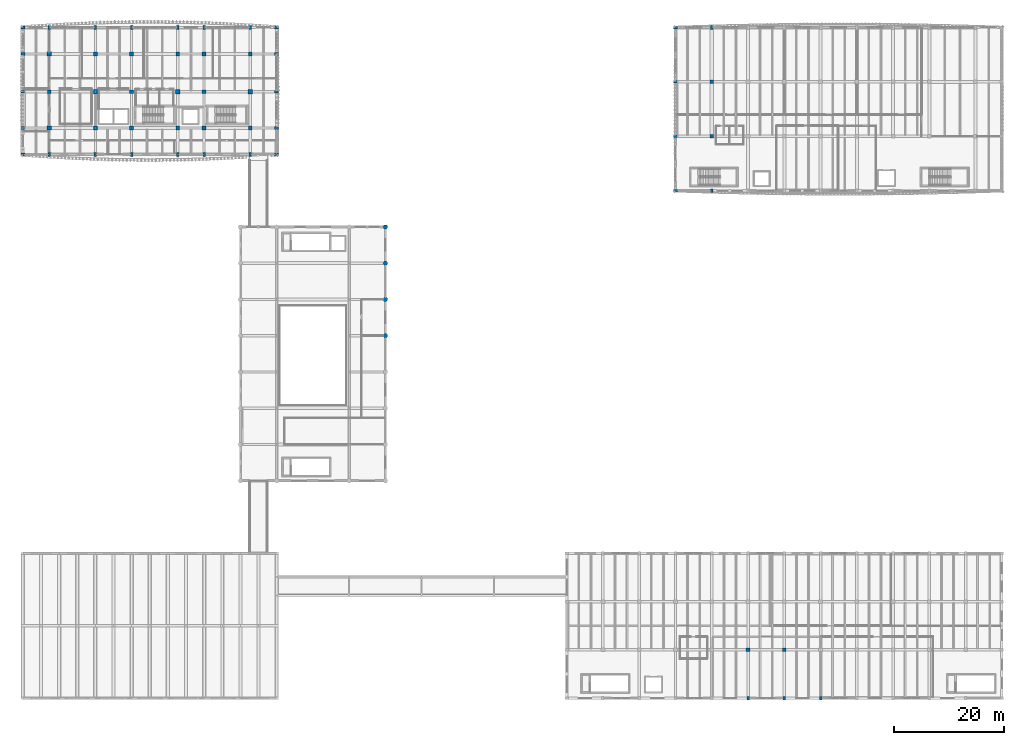
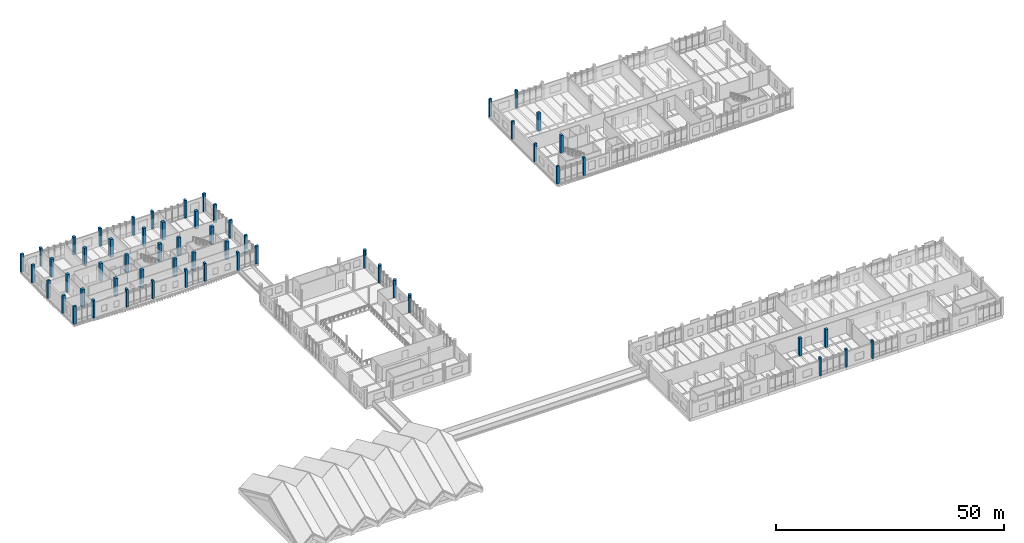
# One storey, part 4 of 76: 57 columns.
"""IFC4 building model written with IfcOpenShell, lengths in metres."""

from ifc_helpers import new_model, si_unit, direction, frame, origin, origin_2d, place, context, subcontext, project, spatial, rectangle, circle, extrude, material, material_profile, profile_set, type_object, element, save


model = new_model("IFC4")

# Units and contexts
model_context = context("Model", 3, precision=1e-05, world=origin(), true_north=direction((0.0, 1.0)))
body_context = subcontext(model_context, "Body", "Model", "MODEL_VIEW")
ifc_project = project(units=[si_unit("LENGTHUNIT", "METRE"), si_unit("AREAUNIT", "SQUARE_METRE"), si_unit("VOLUMEUNIT", "CUBIC_METRE"), si_unit("PLANEANGLEUNIT", "RADIAN"), si_unit("MASSUNIT", "GRAM", prefix="KILO")], contexts=[model_context])

# Site, building, storey
site_placement = place(None, origin())
site = spatial("IfcSite", under=ifc_project, at=site_placement, CompositionType="ELEMENT")
building_placement = place(site_placement, origin())
building = spatial("IfcBuilding", under=site, at=building_placement, Name="Dornvale Research Institute", CompositionType="ELEMENT")
storey_placement = place(building_placement, frame((0.0, 0.0, 15.0)))
storey = spatial("IfcBuildingStorey", under=building, at=storey_placement, Name="L03", CompositionType="ELEMENT", Elevation=15.0)

# Columns
ifc_material_1 = material(Name="Concrete f'c 45 MPa (C35/45)", Category="concrete")
ifc_material_profile_1 = material_profile(ifc_material_1, rectangle(XDim=0.64990234375, YDim=0.64990234375, at=origin_2d()), Name="RC 650x650")
ifc_profile_set_1 = profile_set([ifc_material_profile_1], Name="Concrete f'c 45 MPa (C35/45)")
column_type_1 = type_object("IfcColumnType", Name="Column_RC650", PredefinedType="COLUMN", material=ifc_profile_set_1)
for number, where, z_axis, x_axis, name in (
    (1, (125.39990234375, 102.300048828125, 0.0), (0.0, 0.0, 1.0), (1.0, 0.0, 0.0), "L03 column #579"),
    (2, (125.39990234375, 112.199951171875, 0.0), (0.0, 0.0, 1.0), (1.0, 0.0, 0.0), "L03 column #580"),
    (3, (132.0, 8.800048828125, 0.0), (0.0, 0.0, 1.0), (1.0, 0.0, 0.0), "L03 column #955"),
    (4, (138.60009765625, 8.800048828125, 0.0), (0.0, 0.0, 1.0), (1.0, 0.0, 0.0), "L03 column #959"),
):
    element("IfcColumn", number, at=place(storey_placement, frame(where, z_axis=z_axis, x_axis=x_axis)), inside=storey, type_object=column_type_1, Name=name, PredefinedType="COLUMN", context=body_context, shape_type="SweptSolid", body=[
        extrude(rectangle(XDim=0.64990234375, YDim=0.64990234375, at=origin_2d()), origin(), (0.0, 0.0, 1.0), 4.800048828125),
    ])
ifc_material_2 = material(Name="Concrete f'c 45 MPa (C35/45)", Category="concrete")
ifc_material_profile_2 = material_profile(ifc_material_2, rectangle(XDim=0.699951171875, YDim=0.699951171875, at=origin_2d()), Name="RC 700x700")
ifc_profile_set_2 = profile_set([ifc_material_profile_2], Name="Concrete f'c 45 MPa (C35/45)")
column_type_2 = type_object("IfcColumnType", Name="Column_RC700", PredefinedType="COLUMN", material=ifc_profile_set_2)
for number, where, z_axis, x_axis, name in (
    (5, (4.800048828125, 110.39990234375, 0.0), (0.0, 0.0, 1.0), (1.0, 0.0, 0.0), "L03 column #168"),
    (6, (13.199951171875, 103.800048828125, 0.0), (0.0, 0.0, 1.0), (1.0, 0.0, 0.0), "L03 column #172"),
    (7, (13.199951171875, 117.300048828125, 0.0), (0.0, 0.0, 1.0), (1.0, 0.0, 0.0), "L03 column #174"),
    (8, (19.800048828125, 110.39990234375, 0.0), (0.0, 0.0, 1.0), (1.0, 0.0, 0.0), "L03 column #178"),
    (9, (28.199951171875, 103.800048828125, 0.0), (0.0, 0.0, 1.0), (1.0, 0.0, 0.0), "L03 column #182"),
    (10, (28.199951171875, 117.300048828125, 0.0), (0.0, 0.0, 1.0), (1.0, 0.0, 0.0), "L03 column #184"),
    (11, (33.0, 110.39990234375, 0.0), (0.0, 0.0, 1.0), (1.0, 0.0, 0.0), "L03 column #188"),
    (12, (41.39990234375, 103.800048828125, 0.0), (0.0, 0.0, 1.0), (1.0, 0.0, 0.0), "L03 column #192"),
    (13, (41.39990234375, 117.300048828125, 0.0), (0.0, 0.0, 1.0), (1.0, 0.0, 0.0), "L03 column #194"),
):
    element("IfcColumn", number, at=place(storey_placement, frame(where, z_axis=z_axis, x_axis=x_axis)), inside=storey, type_object=column_type_2, Name=name, PredefinedType="COLUMN", context=body_context, shape_type="SweptSolid", body=[
        extrude(rectangle(XDim=0.699951171875, YDim=0.699951171875, at=origin_2d()), origin(), (0.0, 0.0, 1.0), 4.800048828125),
    ])
ifc_material_3 = material(Name="Concrete f'c 50 MPa (C40/50)", Category="concrete")
ifc_material_profile_3 = material_profile(ifc_material_3, rectangle(XDim=0.75, YDim=0.75, at=origin_2d()), Name="RC 750x750")
ifc_profile_set_3 = profile_set([ifc_material_profile_3], Name="Concrete f'c 50 MPa (C40/50)")
column_type_3 = type_object("IfcColumnType", Name="Column_RC750", PredefinedType="COLUMN", material=ifc_profile_set_3)
for number, where, z_axis, x_axis, name in (
    (14, (4.800048828125, 103.800048828125, 0.0), (0.0, 0.0, 1.0), (1.0, 0.0, 0.0), "L03 column #167"),
    (15, (4.800048828125, 117.300048828125, 0.0), (0.0, 0.0, 1.0), (1.0, 0.0, 0.0), "L03 column #169"),
    (16, (13.199951171875, 110.39990234375, 0.0), (0.0, 0.0, 1.0), (1.0, 0.0, 0.0), "L03 column #173"),
    (17, (19.800048828125, 103.800048828125, 0.0), (0.0, 0.0, 1.0), (1.0, 0.0, 0.0), "L03 column #177"),
    (18, (19.800048828125, 117.300048828125, 0.0), (0.0, 0.0, 1.0), (1.0, 0.0, 0.0), "L03 column #179"),
    (19, (28.199951171875, 110.39990234375, 0.0), (0.0, 0.0, 1.0), (1.0, 0.0, 0.0), "L03 column #183"),
    (20, (33.0, 103.800048828125, 0.0), (0.0, 0.0, 1.0), (1.0, 0.0, 0.0), "L03 column #187"),
    (21, (33.0, 117.300048828125, 0.0), (0.0, 0.0, 1.0), (1.0, 0.0, 0.0), "L03 column #189"),
    (22, (41.39990234375, 110.39990234375, 0.0), (0.0, 0.0, 1.0), (1.0, 0.0, 0.0), "L03 column #193"),
):
    element("IfcColumn", number, at=place(storey_placement, frame(where, z_axis=z_axis, x_axis=x_axis)), inside=storey, type_object=column_type_3, Name=name, PredefinedType="COLUMN", context=body_context, shape_type="SweptSolid", body=[
        extrude(rectangle(XDim=0.75, YDim=0.75, at=origin_2d()), origin(), (0.0, 0.0, 1.0), 4.800048828125),
    ])
ifc_material_4 = material(Name="Concrete f'c 45 MPa (C35/45)", Category="concrete")
ifc_material_profile_4 = material_profile(ifc_material_4, circle(Radius=0.39990234375, at=origin_2d()), Name="RC DIA 800")
ifc_profile_set_4 = profile_set([ifc_material_profile_4], Name="Concrete f'c 45 MPa (C35/45)")
column_type_4 = type_object("IfcColumnType", Name="Column_RCDia800_Ext", PredefinedType="COLUMN", material=ifc_profile_set_4)
for number, where, z_axis, x_axis, name in (
    (23, (66.0, 66.0, 0.0), (0.0, 0.0, 1.0), (1.0, 0.0, 0.0), "L03 column #1142"),
    (24, (66.0, 72.60009765625, 0.0), (0.0, 0.0, 1.0), (1.0, 0.0, 0.0), "L03 column #1143"),
    (25, (66.0, 79.199951171875, 0.0), (0.0, 0.0, 1.0), (1.0, 0.0, 0.0), "L03 column #1144"),
    (26, (66.0, 85.800048828125, 0.0), (0.0, 0.0, 1.0), (1.0, 0.0, 0.0), "L03 column #1145"),
):
    element("IfcColumn", number, at=place(storey_placement, frame(where, z_axis=z_axis, x_axis=x_axis)), inside=storey, type_object=column_type_4, Name=name, PredefinedType="COLUMN", context=body_context, shape_type="SweptSolid", body=[
        extrude(circle(Radius=0.39990234375, at=origin_2d()), origin(), (0.0, 0.0, 1.0), 4.800048828125),
    ])
ifc_material_5 = material(Name="Concrete f'c 45 MPa (C35/45)", Category="concrete")
ifc_material_profile_5 = material_profile(ifc_material_5, rectangle(XDim=0.449951171875, YDim=0.64990234375, at=origin_2d()), Name="RC 450x650")
ifc_profile_set_5 = profile_set([ifc_material_profile_5], Name="Concrete f'c 45 MPa (C35/45)")
column_type_5 = type_object("IfcColumnType", Name="Pilaster_RC450x650_Ext", PredefinedType="PILASTER", material=ifc_profile_set_5)
for number, where, z_axis, x_axis, name in (
    (27, (118.800048828125, 92.39990234375, 0.0), (0.0, 0.0, 1.0), (0.0, 1.0, 0.0), "L03 column #574"),
    (28, (118.800048828125, 102.300048828125, 0.0), (0.0, 0.0, 1.0), (0.0, 1.0, 0.0), "L03 column #575"),
    (29, (118.800048828125, 112.199951171875, 0.0), (0.0, 0.0, 1.0), (0.0, 1.0, 0.0), "L03 column #576"),
    (30, (118.800048828125, 122.10009765625, 0.0), (0.0, 0.0, 1.0), (0.0, 1.0, 0.0), "L03 column #577"),
    (31, (125.39990234375, 92.39990234375, 0.0), (0.0, 0.0, 1.0), (1.0, 0.0, 0.0), "L03 column #578"),
    (32, (125.39990234375, 122.10009765625, 0.0), (0.0, 0.0, 1.0), (1.0, 0.0, 0.0), "L03 column #581"),
    (33, (132.0, 0.0, 0.0), (0.0, 0.0, 1.0), (1.0, 0.0, 0.0), "L03 column #954"),
    (34, (138.60009765625, 0.0, 0.0), (0.0, 0.0, 1.0), (1.0, 0.0, 0.0), "L03 column #958"),
    (35, (145.199951171875, 0.0, 0.0), (0.0, 0.0, 1.0), (1.0, 0.0, 0.0), "L03 column #962"),
):
    element("IfcColumn", number, at=place(storey_placement, frame(where, z_axis=z_axis, x_axis=x_axis)), inside=storey, type_object=column_type_5, Name=name, PredefinedType="PILASTER", context=body_context, shape_type="SweptSolid", body=[
        extrude(rectangle(XDim=0.449951171875, YDim=0.64990234375, at=origin_2d()), origin(), (0.0, 0.0, 1.0), 4.800048828125),
    ])
ifc_material_6 = material(Name="Concrete f'c 50 MPa (C40/50)", Category="concrete")
ifc_material_profile_6 = material_profile(ifc_material_6, rectangle(XDim=0.5, YDim=0.699951171875, at=origin_2d()), Name="RC 500x700")
ifc_profile_set_6 = profile_set([ifc_material_profile_6], Name="Concrete f'c 50 MPa (C40/50)")
column_type_6 = type_object("IfcColumnType", Name="Pilaster_RC500x700_Ext", PredefinedType="PILASTER", material=ifc_profile_set_6)
for number, where, z_axis, x_axis, name in (
    (36, (0.0, 99.0, 0.0), (0.0, 0.0, 1.0), (0.0, 1.0, 0.0), "L03 column #161"),
    (37, (0.0, 103.800048828125, 0.0), (0.0, 0.0, 1.0), (0.0, 1.0, 0.0), "L03 column #162"),
    (38, (0.0, 110.39990234375, 0.0), (0.0, 0.0, 1.0), (0.0, 1.0, 0.0), "L03 column #163"),
    (39, (0.0, 117.300048828125, 0.0), (0.0, 0.0, 1.0), (0.0, 1.0, 0.0), "L03 column #164"),
    (40, (0.0, 122.10009765625, 0.0), (0.0, 0.0, 1.0), (0.0, 1.0, 0.0), "L03 column #165"),
    (41, (4.800048828125, 99.0, 0.0), (0.0, 0.0, 1.0), (1.0, 0.0, 0.0), "L03 column #166"),
    (42, (4.800048828125, 122.10009765625, 0.0), (0.0, 0.0, 1.0), (1.0, 0.0, 0.0), "L03 column #170"),
    (43, (13.199951171875, 99.0, 0.0), (0.0, 0.0, 1.0), (1.0, 0.0, 0.0), "L03 column #171"),
    (44, (13.199951171875, 122.10009765625, 0.0), (0.0, 0.0, 1.0), (1.0, 0.0, 0.0), "L03 column #175"),
    (45, (19.800048828125, 99.0, 0.0), (0.0, 0.0, 1.0), (1.0, 0.0, 0.0), "L03 column #176"),
    (46, (19.800048828125, 122.10009765625, 0.0), (0.0, 0.0, 1.0), (1.0, 0.0, 0.0), "L03 column #180"),
    (47, (28.199951171875, 99.0, 0.0), (0.0, 0.0, 1.0), (1.0, 0.0, 0.0), "L03 column #181"),
    (48, (28.199951171875, 122.10009765625, 0.0), (0.0, 0.0, 1.0), (1.0, 0.0, 0.0), "L03 column #185"),
    (49, (33.0, 99.0, 0.0), (0.0, 0.0, 1.0), (1.0, 0.0, 0.0), "L03 column #186"),
    (50, (33.0, 122.10009765625, 0.0), (0.0, 0.0, 1.0), (1.0, 0.0, 0.0), "L03 column #190"),
    (51, (41.39990234375, 99.0, 0.0), (0.0, 0.0, 1.0), (1.0, 0.0, 0.0), "L03 column #191"),
    (52, (41.39990234375, 122.10009765625, 0.0), (0.0, 0.0, 1.0), (1.0, 0.0, 0.0), "L03 column #195"),
    (53, (46.199951171875, 99.0, 0.0), (0.0, 0.0, 1.0), (0.0, 1.0, 0.0), "L03 column #196"),
    (54, (46.199951171875, 103.800048828125, 0.0), (0.0, 0.0, 1.0), (0.0, 1.0, 0.0), "L03 column #197"),
    (55, (46.199951171875, 110.39990234375, 0.0), (0.0, 0.0, 1.0), (0.0, 1.0, 0.0), "L03 column #198"),
    (56, (46.199951171875, 117.300048828125, 0.0), (0.0, 0.0, 1.0), (0.0, 1.0, 0.0), "L03 column #199"),
    (57, (46.199951171875, 122.10009765625, 0.0), (0.0, 0.0, 1.0), (0.0, 1.0, 0.0), "L03 column #200"),
):
    element("IfcColumn", number, at=place(storey_placement, frame(where, z_axis=z_axis, x_axis=x_axis)), inside=storey, type_object=column_type_6, Name=name, PredefinedType="PILASTER", context=body_context, shape_type="SweptSolid", body=[
        extrude(rectangle(XDim=0.5, YDim=0.699951171875, at=origin_2d()), origin(), (0.0, 0.0, 1.0), 4.800048828125),
    ])

save(model, "model.ifc")
